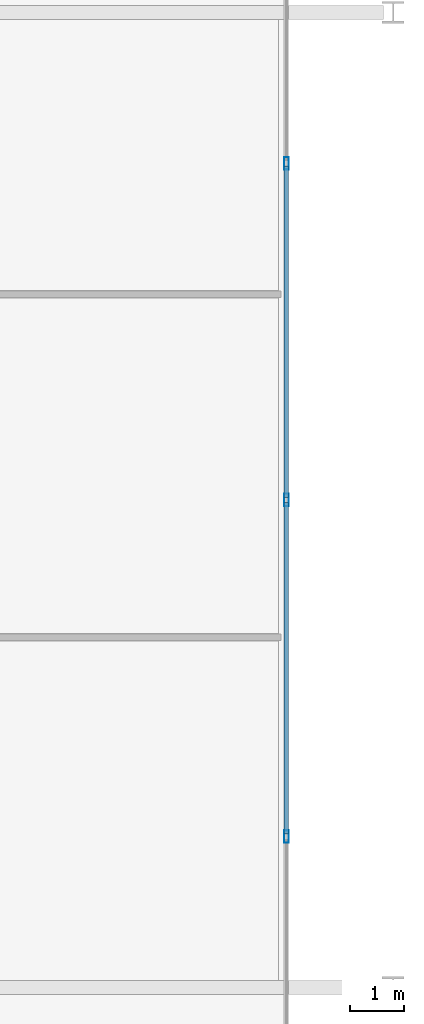
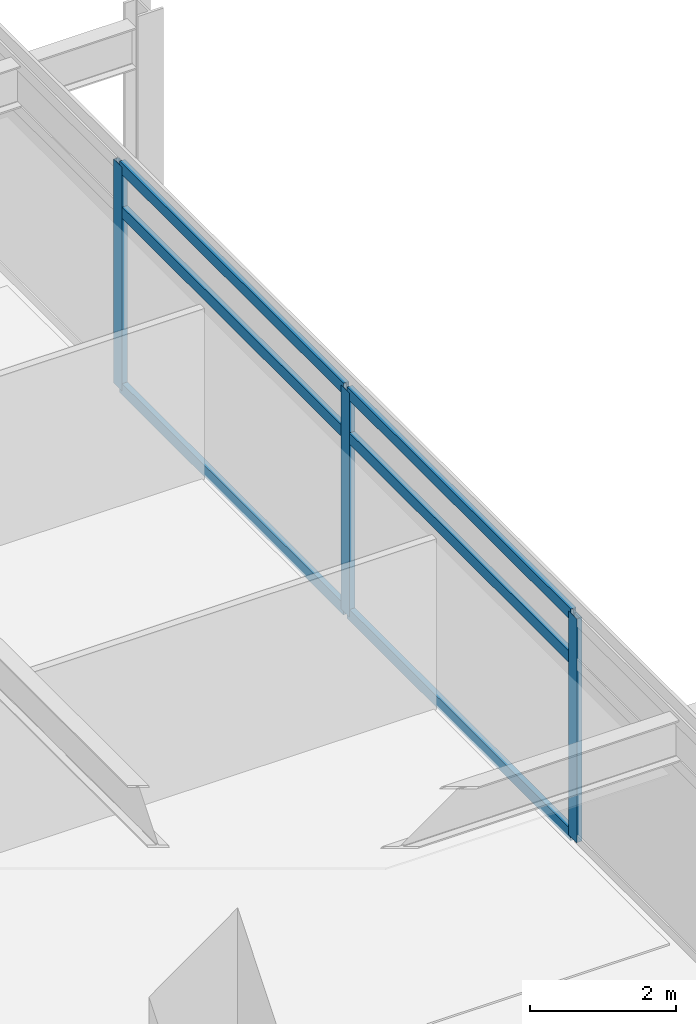
# One storey, part 4 of 23: 9 members, 1 element without a shape of its own.
"""IFC4 building model written with IfcOpenShell, lengths in metres."""

from ifc_helpers import new_model, si_unit, direction, frame, origin, origin_2d, place, context, subcontext, project, spatial, hollow_rectangle, extrude, material, material_profile, profile_set, type_object, element, aggregate, save


model = new_model("IFC4")

# Units and contexts
model_context = context("Model", 3, precision=1e-05, world=origin(), true_north=direction((0.0, 1.0)))
body_context = subcontext(model_context, "Body", "Model", "MODEL_VIEW")
ifc_project = project(units=[si_unit("LENGTHUNIT", "METRE"), si_unit("AREAUNIT", "SQUARE_METRE"), si_unit("VOLUMEUNIT", "CUBIC_METRE"), si_unit("PLANEANGLEUNIT", "RADIAN"), si_unit("MASSUNIT", "GRAM", prefix="KILO")], contexts=[model_context])

# Site, building, storey
site_placement = place(None, origin())
site = spatial("IfcSite", under=ifc_project, at=site_placement, CompositionType="ELEMENT")
building_placement = place(site_placement, origin())
building = spatial("IfcBuilding", under=site, at=building_placement, Name="Kovane Verandah Tower", CompositionType="ELEMENT")
storey_placement = place(building_placement, frame((0.0, 0.0, 221.199951171875)))
storey = spatial("IfcBuildingStorey", under=building, at=storey_placement, Name="L51", CompositionType="ELEMENT", Elevation=221.199951171875)

# Curtain wall, members
ifc_material_1 = material(Name="Champagne Anodised Aluminium Frame with Low-E Clear Laminated Glass", Category="aluminium")
curtain_wall_type = type_object("IfcCurtainWallType", Name="CW-SYS-03-MID", PredefinedType="NOTDEFINED", material=ifc_material_1)
curtain_wall_placement = place(storey_placement, origin())
curtain_wall = element("IfcCurtainWall", 1, at=curtain_wall_placement, inside=storey, type_object=curtain_wall_type, Name="L51 E Unitised Curtain Wall", PredefinedType="NOTDEFINED")
ifc_material_2 = material(Name="Champagne Anodised Aluminium 6063-T6", Category="aluminium")
ifc_material_profile_1 = material_profile(ifc_material_2, hollow_rectangle(XDim=0.0849609375, YDim=0.22998046875, WallThickness=0.00390625, at=origin_2d()), Name="AL85x230x4")
ifc_profile_set_1 = profile_set([ifc_material_profile_1], Name="Champagne Anodised Aluminium 6063-T6")
member_type_1 = type_object("IfcMemberType", Name="CW-MUL-85x230", PredefinedType="MULLION", material=ifc_profile_set_1)
member_1_placement = place(storey_placement, frame((65.63134765625, 21.28662109375, 0.02001953125), z_axis=(0.0, 0.0, 1.0), x_axis=(1.0, 0.0, 0.0)))
member_1 = element("IfcMember", 2, at=member_1_placement, type_object=member_type_1, Name="L51 E Unitised Curtain Wall Mullion 3", PredefinedType="MULLION", context=body_context, shape_type="SweptSolid", body=[
    extrude(hollow_rectangle(XDim=0.0849609375, YDim=0.22998046875, WallThickness=0.00390625, at=origin_2d()), origin(), (0.0, 0.0, 1.0), 3.735107421875),
])
member_2_placement = place(storey_placement, frame((65.63134765625, 27.5, 0.02001953125), z_axis=(0.0, 0.0, 1.0), x_axis=(1.0, 0.0, 0.0)))
member_2 = element("IfcMember", 3, at=member_2_placement, type_object=member_type_1, Name="L51 E Unitised Curtain Wall Mullion 4", PredefinedType="MULLION", context=body_context, shape_type="SweptSolid", body=[
    extrude(hollow_rectangle(XDim=0.0849609375, YDim=0.22998046875, WallThickness=0.00390625, at=origin_2d()), origin(), (0.0, 0.0, 1.0), 3.735107421875),
])
member_3_placement = place(storey_placement, frame((65.63134765625, 33.71337890625, 0.02001953125), z_axis=(0.0, 0.0, 1.0), x_axis=(1.0, 0.0, 0.0)))
member_3 = element("IfcMember", 4, at=member_3_placement, type_object=member_type_1, Name="L51 E Unitised Curtain Wall Mullion 5", PredefinedType="MULLION", context=body_context, shape_type="SweptSolid", body=[
    extrude(hollow_rectangle(XDim=0.0849609375, YDim=0.22998046875, WallThickness=0.00390625, at=origin_2d()), origin(), (0.0, 0.0, 1.0), 3.735107421875),
])
ifc_material_profile_2 = material_profile(ifc_material_2, hollow_rectangle(XDim=0.0849609375, YDim=0.18994140625, WallThickness=0.00390625, at=origin_2d()), Name="AL85x190x4")
ifc_profile_set_2 = profile_set([ifc_material_profile_2], Name="Champagne Anodised Aluminium 6063-T6")
member_type_2 = type_object("IfcMemberType", Name="CW-TRN-85x190", PredefinedType="USERDEFINED", material=ifc_profile_set_2)
member_4_placement = place(storey_placement, frame((65.63134765625, 21.33642578125, 0.050048828125), z_axis=(0.0, 1.0, 0.0), x_axis=(-1.0, 0.0, 0.0)))
member_4 = element("IfcMember", 5, at=member_4_placement, type_object=member_type_2, Name="L51 E Unitised Curtain Wall Transom TB Bay 3", ObjectType="TRANSOM", PredefinedType="USERDEFINED", context=body_context, shape_type="SweptSolid", body=[
    extrude(hollow_rectangle(XDim=0.0849609375, YDim=0.18994140625, WallThickness=0.00390625, at=origin_2d()), origin(), (0.0, 0.0, 1.0), 6.113525390625),
])
member_5_placement = place(storey_placement, frame((65.63134765625, 21.33642578125, 2.9951171875), z_axis=(0.0, 1.0, 0.0), x_axis=(-1.0, 0.0, 0.0)))
member_5 = element("IfcMember", 6, at=member_5_placement, type_object=member_type_2, Name="L51 E Unitised Curtain Wall Transom TM Bay 3", ObjectType="TRANSOM", PredefinedType="USERDEFINED", context=body_context, shape_type="SweptSolid", body=[
    extrude(hollow_rectangle(XDim=0.0849609375, YDim=0.18994140625, WallThickness=0.00390625, at=origin_2d()), origin(), (0.0, 0.0, 1.0), 6.113525390625),
])
member_6_placement = place(storey_placement, frame((65.63134765625, 21.33642578125, 3.72509765625), z_axis=(0.0, 1.0, 0.0), x_axis=(-1.0, 0.0, 0.0)))
member_6 = element("IfcMember", 7, at=member_6_placement, type_object=member_type_2, Name="L51 E Unitised Curtain Wall Transom TT Bay 3", ObjectType="TRANSOM", PredefinedType="USERDEFINED", context=body_context, shape_type="SweptSolid", body=[
    extrude(hollow_rectangle(XDim=0.0849609375, YDim=0.18994140625, WallThickness=0.00390625, at=origin_2d()), origin(), (0.0, 0.0, 1.0), 6.113525390625),
])
member_7_placement = place(storey_placement, frame((65.63134765625, 27.550048828125, 0.050048828125), z_axis=(0.0, 1.0, 0.0), x_axis=(-1.0, 0.0, 0.0)))
member_7 = element("IfcMember", 8, at=member_7_placement, type_object=member_type_2, Name="L51 E Unitised Curtain Wall Transom TB Bay 4", ObjectType="TRANSOM", PredefinedType="USERDEFINED", context=body_context, shape_type="SweptSolid", body=[
    extrude(hollow_rectangle(XDim=0.0849609375, YDim=0.18994140625, WallThickness=0.00390625, at=origin_2d()), origin(), (0.0, 0.0, 1.0), 6.113525390625),
])
member_8_placement = place(storey_placement, frame((65.63134765625, 27.550048828125, 2.9951171875), z_axis=(0.0, 1.0, 0.0), x_axis=(-1.0, 0.0, 0.0)))
member_8 = element("IfcMember", 9, at=member_8_placement, type_object=member_type_2, Name="L51 E Unitised Curtain Wall Transom TM Bay 4", ObjectType="TRANSOM", PredefinedType="USERDEFINED", context=body_context, shape_type="SweptSolid", body=[
    extrude(hollow_rectangle(XDim=0.0849609375, YDim=0.18994140625, WallThickness=0.00390625, at=origin_2d()), origin(), (0.0, 0.0, 1.0), 6.113525390625),
])
member_9_placement = place(storey_placement, frame((65.63134765625, 27.550048828125, 3.72509765625), z_axis=(0.0, 1.0, 0.0), x_axis=(-1.0, 0.0, 0.0)))
member_9 = element("IfcMember", 10, at=member_9_placement, type_object=member_type_2, Name="L51 E Unitised Curtain Wall Transom TT Bay 4", ObjectType="TRANSOM", PredefinedType="USERDEFINED", context=body_context, shape_type="SweptSolid", body=[
    extrude(hollow_rectangle(XDim=0.0849609375, YDim=0.18994140625, WallThickness=0.00390625, at=origin_2d()), origin(), (0.0, 0.0, 1.0), 6.113525390625),
])
aggregate(curtain_wall, [member_1, member_2, member_3, member_4, member_5, member_6, member_7, member_8, member_9])

save(model, "model.ifc")
